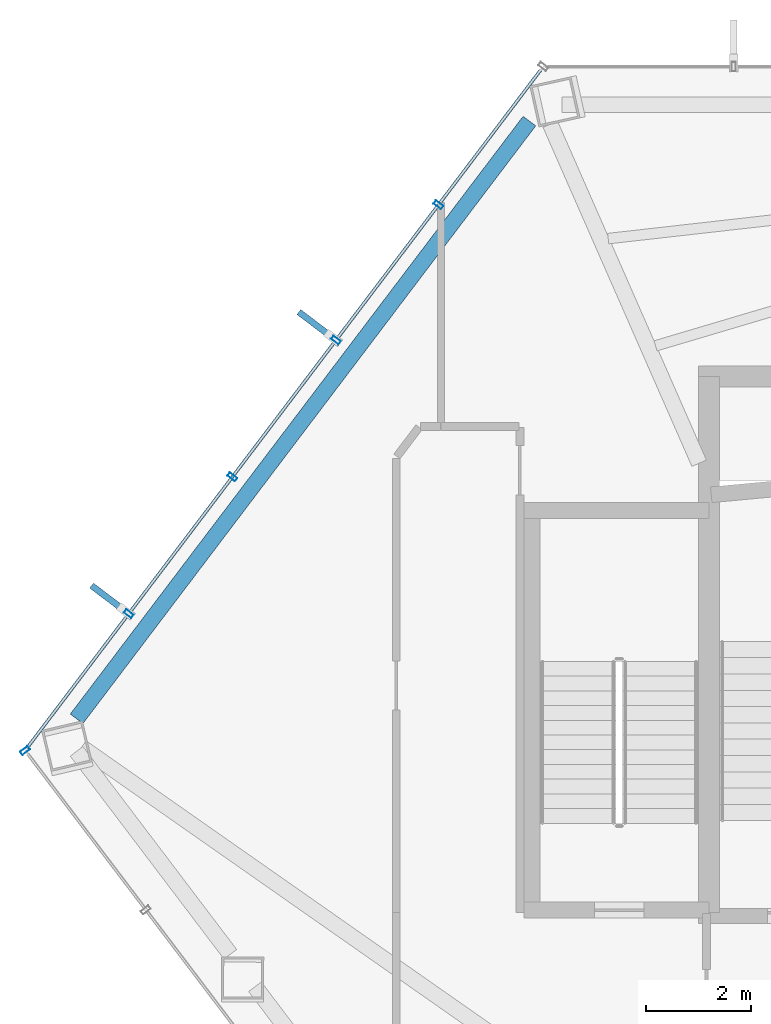
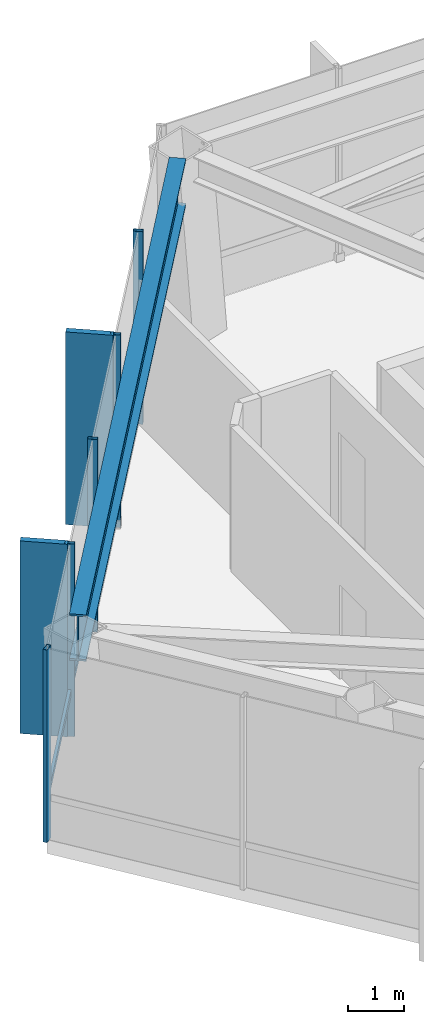
# One storey, part 10 of 25: 8 members, 1 beam, 2 elements without a shape of their own.
"""IFC4 building model written with IfcOpenShell, lengths in metres."""

import ifcopenshell
import ifcopenshell.guid

model = None  # the IFC model being written
_history = None  # IfcOwnerHistory: only IFC2X3 demands one
_inside = {}  # id of a spatial element -> (the spatial element, [elements in it])
_under = {}  # id of a project, library or spatial element -> (it, [spatial elements below it])
_declared = {}  # id of a project -> (the project, [libraries it declares])
_typed = {}  # id of a type object -> (the type object, [elements of that type])
_made_of = {}  # id of a material, layer set ... -> (it, [elements and type objects made of it])


def new_model(schema):
    """Start an empty IFC model of exactly this schema.

    Asked for "IFC4X3", IfcOpenShell would pick the latest addendum, in which some entities
    have other attributes; the version numbers below select the first issue.
    IFC2X3 requires an IfcOwnerHistory on every rooted entity: one is made here for all.
    """
    global model, _history
    if schema == "IFC4X3":
        model = ifcopenshell.file(schema_version=(4, 3, 0, 0))
    else:
        model = ifcopenshell.file(schema=schema)
    _inside.clear()
    _under.clear()
    _declared.clear()
    _typed.clear()
    _made_of.clear()
    _history = None
    if model.schema == "IFC2X3":
        org = make("IfcOrganization", Name="unknown")
        user = make(
            "IfcPersonAndOrganization",
            ThePerson=make("IfcPerson", FamilyName="unknown"),
            TheOrganization=org,
        )
        app = make(
            "IfcApplication",
            ApplicationDeveloper=org,
            Version="unknown",
            ApplicationFullName="unknown",
            ApplicationIdentifier="unknown",
        )
        _history = make(
            "IfcOwnerHistory",
            OwningUser=user,
            OwningApplication=app,
            ChangeAction="ADDED",
            CreationDate=0,
        )
    return model


def make(cls, **values):
    """One entity of the class cls with the attributes given. An attribute that is None is left unset."""
    return model.create_entity(
        cls, **{name: value for name, value in values.items() if value is not None}
    )


def rooted(cls, **values):
    """An entity with a GlobalId (a new one), such as an element, a storey or a relation."""
    return make(cls, GlobalId=ifcopenshell.guid.new(), OwnerHistory=_history, **values)


def si_unit(unit_type, name, prefix=None):
    """IfcSIUnit, for example si_unit("LENGTHUNIT", "METRE", prefix="MILLI")."""
    return make("IfcSIUnit", UnitType=unit_type, Prefix=prefix, Name=name)


def assignment(units):
    """IfcUnitAssignment: the units of a project."""
    return None if units is None else make("IfcUnitAssignment", Units=units)


def point(xyz):
    """IfcCartesianPoint."""
    return None if xyz is None else make("IfcCartesianPoint", Coordinates=xyz)


def direction(xyz):
    """IfcDirection."""
    return None if xyz is None else make("IfcDirection", DirectionRatios=xyz)


def frame(location, z_axis=None, x_axis=None):
    """IfcAxis2Placement3D, a coordinate frame: its origin and axes. An axis left out is left unset."""
    return make(
        "IfcAxis2Placement3D",
        Location=point(location),
        Axis=direction(z_axis),
        RefDirection=direction(x_axis),
    )


def frame_2d(location, x_axis=None):
    """IfcAxis2Placement2D, a coordinate frame in the plane: its origin and x axis."""
    return make(
        "IfcAxis2Placement2D", Location=point(location), RefDirection=direction(x_axis)
    )


def origin():
    """The frame at (0, 0, 0) with its axes left unset."""
    return frame((0.0, 0.0, 0.0))


def origin_2d():
    """The frame at (0, 0) in the plane with its x axis left unset."""
    return frame_2d((0.0, 0.0))


def place(relative_to, where):
    """IfcLocalPlacement: puts the frame where relative to a parent placement (None: the world)."""
    return make(
        "IfcLocalPlacement", PlacementRelTo=relative_to, RelativePlacement=where
    )


def context(
    kind, dimensions, precision=None, world=None, true_north=None, identifier=None
):
    """IfcGeometricRepresentationContext, for example the 3D "Model" context."""
    return make(
        "IfcGeometricRepresentationContext",
        ContextIdentifier=identifier,
        ContextType=kind,
        CoordinateSpaceDimension=dimensions,
        Precision=precision,
        WorldCoordinateSystem=world,
        TrueNorth=true_north,
    )


def subcontext(parent, identifier, kind, view, scale=None):
    """IfcGeometricRepresentationSubContext, for example "Body" below "Model"."""
    return make(
        "IfcGeometricRepresentationSubContext",
        ContextIdentifier=identifier,
        ContextType=kind,
        ParentContext=parent,
        TargetScale=scale,
        TargetView=view,
    )


def project(units=None, contexts=None):
    """IfcProject with its units and contexts."""
    return rooted(
        "IfcProject",
        Name="project",
        RepresentationContexts=contexts,
        UnitsInContext=assignment(units),
    )


def spatial(cls, under=None, at=None, **own):
    """A site, building, storey or space (cls), placed at a placement, below another one or the project."""
    s = rooted(cls, ObjectPlacement=at, **own)
    if under is not None:
        _under.setdefault(under.id(), (under, []))[1].append(s)
    return s


def profile(cls, at=None, kind="AREA", **sizes):
    """A parametric profile (cls). Its sizes go by their IFC names, for example OverallWidth=200.0."""
    return make(cls, ProfileType=kind, Position=at, **sizes)


def rectangle(**sizes):
    """IfcRectangleProfileDef."""
    return profile("IfcRectangleProfileDef", **sizes)


def hollow_rectangle(**sizes):
    """IfcRectangleHollowProfileDef."""
    return profile("IfcRectangleHollowProfileDef", **sizes)


def i_section(**sizes):
    """IfcIShapeProfileDef."""
    return profile("IfcIShapeProfileDef", **sizes)


def extrude(swept, where, along, depth):
    """IfcExtrudedAreaSolid: the profile swept, set in the frame where, extruded along a direction by depth."""
    return make(
        "IfcExtrudedAreaSolid",
        SweptArea=swept,
        Position=where,
        ExtrudedDirection=direction(along),
        Depth=depth,
    )


def shape(context_of_items, identifier, shape_type, items):
    """IfcShapeRepresentation: the items that make up one representation, for example the "Body"."""
    return make(
        "IfcShapeRepresentation",
        ContextOfItems=context_of_items,
        RepresentationIdentifier=identifier,
        RepresentationType=shape_type,
        Items=items,
    )


def material(Name=None, Category=None):
    """IfcMaterial."""
    return make("IfcMaterial", Name=Name, Category=Category)


def layer(
    of_material, thickness, ventilated=None, Name=None, Category=None, Priority=None
):
    """IfcMaterialLayer: one layer of a wall or slab, of a material (None: an air gap)."""
    return make(
        "IfcMaterialLayer",
        Material=of_material,
        LayerThickness=thickness,
        IsVentilated=ventilated,
        Name=Name,
        Category=Category,
        Priority=Priority,
    )


def layer_set(layers, Name=None):
    """IfcMaterialLayerSet."""
    return make("IfcMaterialLayerSet", MaterialLayers=layers, LayerSetName=Name)


def material_profile(
    of_material, cross_section, Name=None, Category=None, Priority=None
):
    """IfcMaterialProfile: a cross section and its material."""
    return make(
        "IfcMaterialProfile",
        Name=Name,
        Material=of_material,
        Profile=cross_section,
        Priority=Priority,
        Category=Category,
    )


def profile_set(profiles, Name=None, composite=None):
    """IfcMaterialProfileSet."""
    return make(
        "IfcMaterialProfileSet",
        Name=Name,
        MaterialProfiles=profiles,
        CompositeProfile=composite,
    )


def made_of(thing, what):
    """Note that an element or type object is made of a material, layer set ...; save() writes the relation."""
    if what is not None:
        _made_of.setdefault(what.id(), (what, []))[1].append(thing)
    return thing


def type_object(cls, material=None, **own):
    """A type object (cls), such as IfcWallType, which elements share."""
    return made_of(rooted(cls, **own), material)


def element(
    cls,
    number,
    at=None,
    inside=None,
    cuts=None,
    type_object=None,
    material=None,
    context=None,
    identifier="Body",
    shape_type=None,
    held_by="IfcProductDefinitionShape",
    body=None,
    shapes=None,
    **own,
):
    """One element of the class cls, such as IfcWall. Its Tag is "e" and its number.

    at: its placement. inside: the storey or other place that contains it. cuts: it is an
    opening in that element (IfcRelVoidsElement). A single representation is given by context,
    identifier, shape_type and body (its items); several are given by shapes. held_by: the class
    of the entity that holds the representations. save() writes the other relations.
    """
    e = rooted(cls, Tag="e%d" % number, ObjectPlacement=at, **own)
    if body is not None:
        shapes = [shape(context, identifier, shape_type, body)]
    if shapes is not None:
        e.Representation = make(held_by, Representations=shapes)
    if inside is not None:
        _inside.setdefault(inside.id(), (inside, []))[1].append(e)
    if cuts is not None:
        rooted(
            "IfcRelVoidsElement", RelatingBuildingElement=cuts, RelatedOpeningElement=e
        )
    if type_object is not None:
        _typed.setdefault(type_object.id(), (type_object, []))[1].append(e)
    return made_of(e, material)


def aggregate(whole, parts):
    """IfcRelAggregates: a whole, such as a stair, and the parts it consists of."""
    return rooted("IfcRelAggregates", RelatingObject=whole, RelatedObjects=parts)


def save(model, path):
    """Write the relations noted so far, then the file.

    IfcRelAggregates (storeys below a building ...), IfcRelContainedInSpatialStructure (elements
    in a storey), IfcRelDefinesByType, IfcRelAssociatesMaterial and IfcRelDeclares: one each for
    every whole, place, type object, material and project.
    """
    for whole, parts in _under.values():
        aggregate(whole, parts)
    for where, things in _inside.values():
        rooted(
            "IfcRelContainedInSpatialStructure",
            RelatedElements=things,
            RelatingStructure=where,
        )
    for kind, things in _typed.values():
        rooted("IfcRelDefinesByType", RelatedObjects=things, RelatingType=kind)
    for what, things in _made_of.values():
        rooted("IfcRelAssociatesMaterial", RelatedObjects=things, RelatingMaterial=what)
    for by, libraries in _declared.values():
        rooted("IfcRelDeclares", RelatingContext=by, RelatedDefinitions=libraries)
    model.write(path)


model = new_model("IFC4")

# Units and contexts
model_context = context("Model", 3, precision=1e-05, world=origin(), true_north=direction((0.0, 1.0)))
body_context = subcontext(model_context, "Body", "Model", "MODEL_VIEW")
ifc_project = project(units=[si_unit("LENGTHUNIT", "METRE"), si_unit("AREAUNIT", "SQUARE_METRE"), si_unit("VOLUMEUNIT", "CUBIC_METRE"), si_unit("PLANEANGLEUNIT", "RADIAN"), si_unit("MASSUNIT", "GRAM", prefix="KILO")], contexts=[model_context])

# Site, building, storey
site_placement = place(None, origin())
site = spatial("IfcSite", under=ifc_project, at=site_placement, CompositionType="ELEMENT")
building_placement = place(site_placement, origin())
building = spatial("IfcBuilding", under=site, at=building_placement, Name="Zarrinselat Tower", CompositionType="ELEMENT")
storey_placement = place(building_placement, frame((0.0, 0.0, 119.0)))
storey = spatial("IfcBuildingStorey", under=building, at=storey_placement, Name="L28", CompositionType="ELEMENT", Elevation=119.0)

# Beam
ifc_material_1 = material(Name="Steel S460M", Category="steel")
ifc_material_profile_1 = material_profile(ifc_material_1, i_section(OverallWidth=0.302001953125, OverallDepth=1.008056640625, WebThickness=0.02099609375, FlangeThickness=0.0400390625, at=origin_2d()), Name="HEM 1000")
ifc_profile_set_1 = profile_set([ifc_material_profile_1], Name="Steel S460M")
beam_type = type_object("IfcBeamType", Name="BM-HEM1000", PredefinedType="BEAM", material=ifc_profile_set_1)
beam_placement = place(storey_placement, frame((16.5693359375, 36.938232421875, 3.676025390625), z_axis=(0.603859994852, 0.79709040053, 0.0), x_axis=(-0.79709040053, 0.603859994852, 0.0)))
element("IfcBeam", 1, at=beam_placement, inside=storey, type_object=beam_type, Name="L28 Perimeter Spandrel Girder SP05", PredefinedType="BEAM", context=body_context, shape_type="SweptSolid", body=[
    extrude(i_section(OverallWidth=0.302001953125, OverallDepth=1.008056640625, WebThickness=0.02099609375, FlangeThickness=0.0400390625, at=origin_2d()), origin(), (0.0, 0.0, 1.0), 14.26318359375),
])

# Curtain wall, member
ifc_material_2 = material(Name="Extruded Aluminium Alloy EN AW-6063 T6", Category="aluminium")
ifc_layer = layer(ifc_material_2, 0.195068359375)
ifc_layer_set = layer_set([ifc_layer], Name="Extruded Aluminium Alloy EN AW-6063 T6")
curtain_wall_type = type_object("IfcCurtainWallType", Name="CWS-GDN", PredefinedType="NOTDEFINED", material=ifc_layer_set)
curtain_wall_1_placement = place(storey_placement, origin())
curtain_wall_1 = element("IfcCurtainWall", 2, at=curtain_wall_1_placement, inside=storey, type_object=curtain_wall_type, Name="L28 Unitised Curtain Wall CW-L28-E02", PredefinedType="NOTDEFINED")
ifc_material_3 = material(Name="Extruded Aluminium Alloy EN AW-6063 T6", Category="aluminium")
ifc_material_profile_2 = material_profile(ifc_material_3, hollow_rectangle(XDim=0.080078125, YDim=0.179931640625, WallThickness=0.0048828125, at=origin_2d()), Name="RHS 180x80x5")
ifc_profile_set_2 = profile_set([ifc_material_profile_2], Name="Extruded Aluminium Alloy EN AW-6063 T6")
member_type_1 = type_object("IfcMemberType", Name="MEM-CW-MUL", PredefinedType="MULLION", material=ifc_profile_set_2)
member_1_placement = place(storey_placement, frame((15.5888671875, 36.335205078125, 0.0), z_axis=(0.0, 0.0, 1.0), x_axis=(-0.603858025511, 0.79709189246, 0.0)))
member_1 = element("IfcMember", 3, at=member_1_placement, type_object=member_type_1, Name="CW-L28-E02 Mullion 7", PredefinedType="MULLION", context=body_context, shape_type="SweptSolid", body=[
    extrude(hollow_rectangle(XDim=0.080078125, YDim=0.179931640625, WallThickness=0.0048828125, at=origin_2d()), origin(), (0.0, 0.0, 1.0), 4.179931640625),
])
aggregate(curtain_wall_1, [member_1])

# Curtain wall, members
curtain_wall_2_placement = place(storey_placement, origin())
curtain_wall_2 = element("IfcCurtainWall", 4, at=curtain_wall_2_placement, inside=storey, type_object=curtain_wall_type, Name="L28 Unitised Curtain Wall CW-L28-E03", PredefinedType="NOTDEFINED")
member_2_placement = place(storey_placement, frame((17.56005859375, 38.93701171875, 0.0), z_axis=(0.0, 0.0, 1.0), x_axis=(0.603856508336, 0.797093041834, 0.0)))
member_2 = element("IfcMember", 5, at=member_2_placement, type_object=member_type_1, Name="CW-L28-E03 Mullion 1", PredefinedType="MULLION", context=body_context, shape_type="SweptSolid", body=[
    extrude(hollow_rectangle(XDim=0.080078125, YDim=0.179931640625, WallThickness=0.0048828125, at=origin_2d()), origin(), (0.0, 0.0, 1.0), 4.179931640625),
])
member_3_placement = place(storey_placement, frame((19.531005859375, 41.538818359375, 0.0), z_axis=(0.0, 0.0, 1.0), x_axis=(0.603856508336, 0.797093041834, 0.0)))
member_3 = element("IfcMember", 6, at=member_3_placement, type_object=member_type_1, Name="CW-L28-E03 Mullion 2", PredefinedType="MULLION", context=body_context, shape_type="SweptSolid", body=[
    extrude(hollow_rectangle(XDim=0.080078125, YDim=0.179931640625, WallThickness=0.0048828125, at=origin_2d()), origin(), (0.0, 0.0, 1.0), 4.179931640625),
])
member_4_placement = place(storey_placement, frame((21.502197265625, 44.140625, 0.0), z_axis=(0.0, 0.0, 1.0), x_axis=(0.603856508336, 0.797093041834, 0.0)))
member_4 = element("IfcMember", 7, at=member_4_placement, type_object=member_type_1, Name="CW-L28-E03 Mullion 3", PredefinedType="MULLION", context=body_context, shape_type="SweptSolid", body=[
    extrude(hollow_rectangle(XDim=0.080078125, YDim=0.179931640625, WallThickness=0.0048828125, at=origin_2d()), origin(), (0.0, 0.0, 1.0), 4.179931640625),
])
member_5_placement = place(storey_placement, frame((23.4521484375, 46.714599609375, 0.0), z_axis=(0.0, 0.0, 1.0), x_axis=(0.603856508336, 0.797093041834, 0.0)))
member_5 = element("IfcMember", 8, at=member_5_placement, type_object=member_type_1, Name="CW-L28-E03 Mullion 4", PredefinedType="MULLION", context=body_context, shape_type="SweptSolid", body=[
    extrude(hollow_rectangle(XDim=0.080078125, YDim=0.179931640625, WallThickness=0.0048828125, at=origin_2d()), origin(), (0.0, 0.0, 1.0), 4.179931640625),
])
ifc_material_4 = material(Name="Extruded Aluminium Alloy EN AW-6063 T6", Category="aluminium")
ifc_material_profile_3 = material_profile(ifc_material_4, hollow_rectangle(XDim=0.06005859375, YDim=0.139892578125, WallThickness=0.00390625, at=origin_2d()), Name="RHS 140x60x4")
ifc_profile_set_3 = profile_set([ifc_material_profile_3], Name="Extruded Aluminium Alloy EN AW-6063 T6")
member_type_2 = type_object("IfcMemberType", Name="MEM-CW-TRN", PredefinedType="USERDEFINED", material=ifc_profile_set_3)
member_6_placement = place(storey_placement, frame((15.643310546875, 36.40673828125, 0.949951171875), z_axis=(0.603853028572, 0.797095677999, 0.0), x_axis=(-0.797095677999, 0.603853028572, 0.0)))
member_6 = element("IfcMember", 9, at=member_6_placement, type_object=member_type_2, Name="CW-L28-E03 Transom 1", ObjectType="TRANSOM", PredefinedType="USERDEFINED", context=body_context, shape_type="SweptSolid", body=[
    extrude(hollow_rectangle(XDim=0.06005859375, YDim=0.139892578125, WallThickness=0.00390625, at=origin_2d()), origin(), (0.0, 0.0, 1.0), 16.14111328125),
])
ifc_material_5 = material(Name="Honed Cream Travertine Stone", Category="masonry")
ifc_material_profile_4 = material_profile(ifc_material_5, rectangle(XDim=0.1201171875, YDim=0.85009765625, at=origin_2d()), Name="FIN 850x120")
ifc_profile_set_4 = profile_set([ifc_material_profile_4], Name="Honed Cream Travertine Stone")
member_type_3 = type_object("IfcMemberType", Name="MEM-STONE-FIN", PredefinedType="USERDEFINED", material=ifc_profile_set_4)
member_7_placement = place(storey_placement, frame((17.193359375, 39.21484375, 0.0), z_axis=(0.0, 0.0, 1.0), x_axis=(0.603856508336, 0.797093041834, 0.0)))
member_7 = element("IfcMember", 10, at=member_7_placement, type_object=member_type_3, Name="L28 Stone Shading Fin CW-L28-E03-01", ObjectType="FIN", PredefinedType="USERDEFINED", context=body_context, shape_type="SweptSolid", body=[
    extrude(rectangle(XDim=0.1201171875, YDim=0.85009765625, at=origin_2d()), origin(), (0.0, 0.0, 1.0), 4.179931640625),
])
member_8_placement = place(storey_placement, frame((21.135498046875, 44.41845703125, 0.0), z_axis=(0.0, 0.0, 1.0), x_axis=(0.603856508336, 0.797093041834, 0.0)))
member_8 = element("IfcMember", 11, at=member_8_placement, type_object=member_type_3, Name="L28 Stone Shading Fin CW-L28-E03-03", ObjectType="FIN", PredefinedType="USERDEFINED", context=body_context, shape_type="SweptSolid", body=[
    extrude(rectangle(XDim=0.1201171875, YDim=0.85009765625, at=origin_2d()), origin(), (0.0, 0.0, 1.0), 4.179931640625),
])
aggregate(curtain_wall_2, [member_2, member_7, member_3, member_4, member_8, member_5, member_6])

save(model, "model.ifc")
